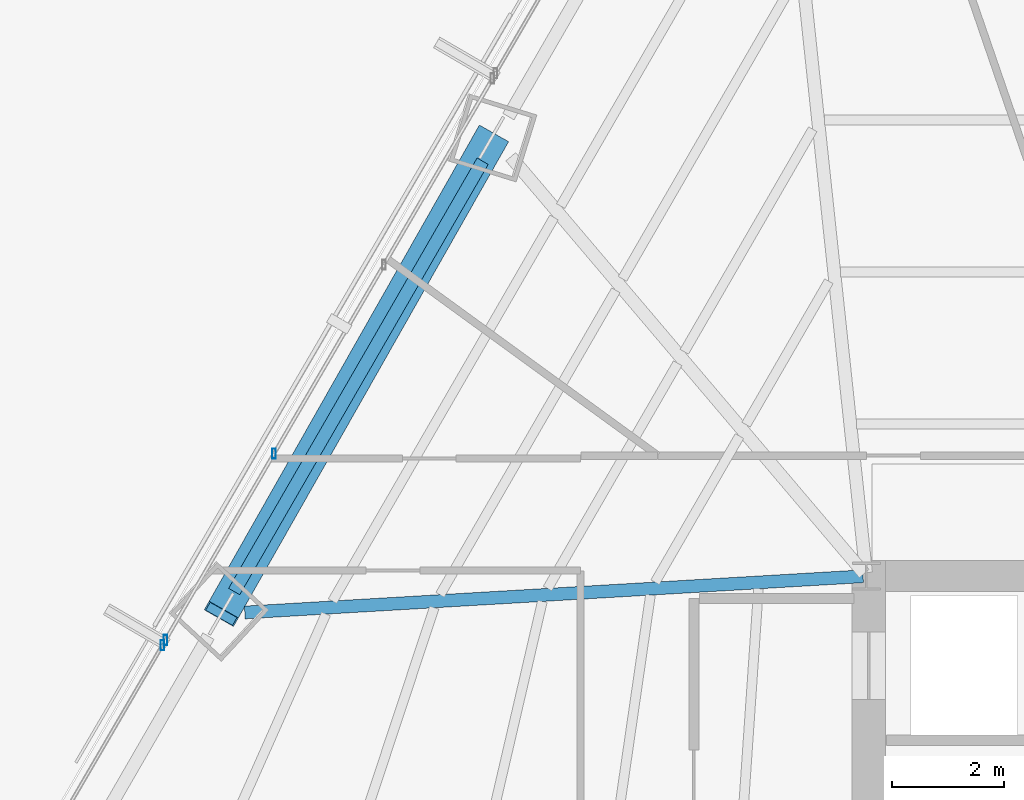
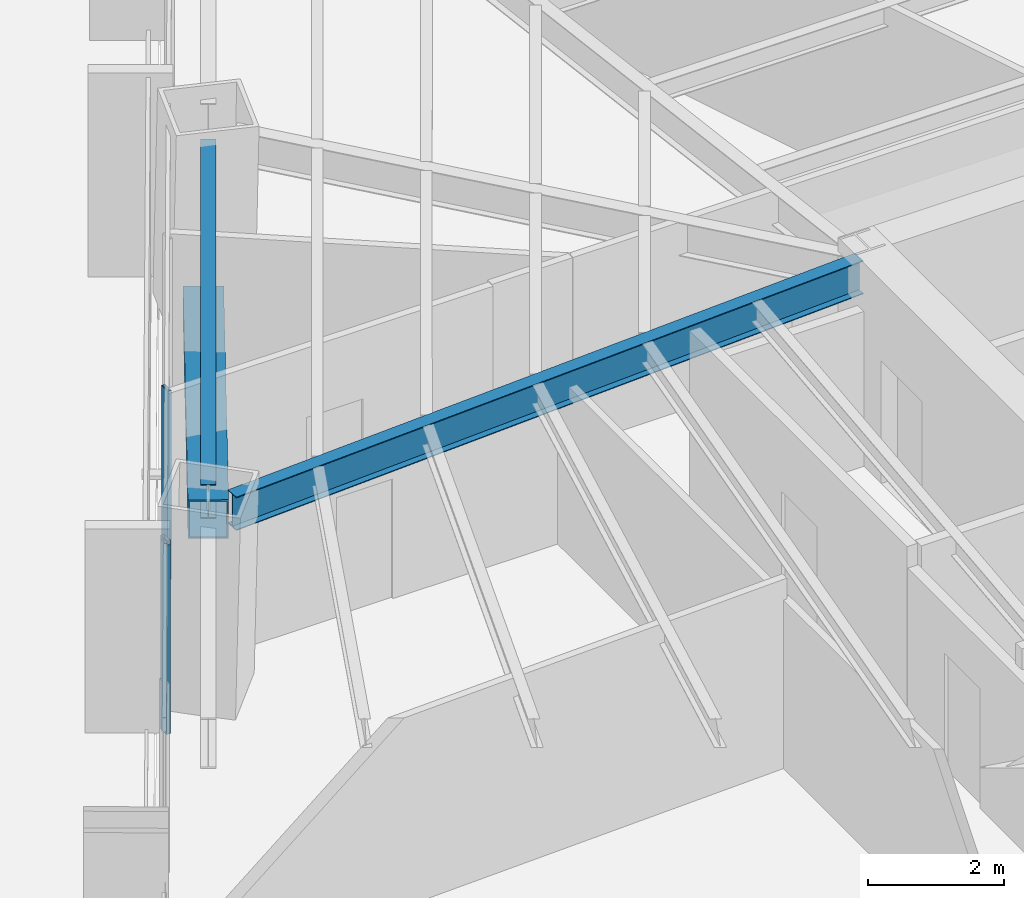
# One storey, part 11 of 35: 4 members, 2 beams, 2 elements without a shape of their own.
"""IFC4 building model written with IfcOpenShell, lengths in metres."""

from ifc_helpers import new_model, si_unit, direction, frame, origin, origin_2d, place, context, subcontext, project, spatial, hollow_rectangle, i_section, extrude, source, transform, mapped, material, material_profile, profile_set, type_object, type_shapes, element, aggregate, save


model = new_model("IFC4")

# Units and contexts
model_context = context("Model", 3, precision=1e-05, world=origin(), true_north=direction((0.0, 1.0)))
body_context = subcontext(model_context, "Body", "Model", "MODEL_VIEW")
ifc_project = project(units=[si_unit("LENGTHUNIT", "METRE"), si_unit("AREAUNIT", "SQUARE_METRE"), si_unit("VOLUMEUNIT", "CUBIC_METRE"), si_unit("PLANEANGLEUNIT", "RADIAN"), si_unit("MASSUNIT", "GRAM", prefix="KILO")], contexts=[model_context])

# Site, building, storey
site_placement = place(None, origin())
site = spatial("IfcSite", under=ifc_project, at=site_placement, CompositionType="ELEMENT")
building_placement = place(site_placement, origin())
building = spatial("IfcBuilding", under=site, at=building_placement, Name="Caelisora Broadcast Tower", CompositionType="ELEMENT")
storey_placement = place(building_placement, frame((0.0, 0.0, 27.60009765625)))
storey = spatial("IfcBuildingStorey", under=building, at=storey_placement, Name="L06", CompositionType="ELEMENT", Elevation=27.60009765625)

# Beams
ifc_material_1 = material(Name="Steel Grade 350 (AS/NZS 3679.1)", Category="steel")
ifc_material_profile_1 = material_profile(ifc_material_1, i_section(OverallWidth=0.22900390625, OverallDepth=0.611572265625, WebThickness=0.011962890625, FlangeThickness=0.01953125, at=origin_2d()), Name="Steel Grade 350 (AS/NZS 3679.1)")
ifc_profile_set_1 = profile_set([ifc_material_profile_1], Name="Steel Grade 350 (AS/NZS 3679.1)")
beam_type_1 = type_object("IfcBeamType", Name="PG03", PredefinedType="BEAM", material=ifc_profile_set_1)
shared_shape_1 = source(origin(), body_context, "Body", "SweptSolid", [
    extrude(i_section(OverallWidth=0.22900390625, OverallDepth=0.611572265625, WebThickness=0.011962890625, FlangeThickness=0.01953125, at=origin_2d()), origin(), (0.0, 0.0, 1.0), 8.867431640625),
])
type_shapes(beam_type_1, [shared_shape_1])
beam_1_placement = place(storey_placement, frame((23.65185546875, 37.403564453125, 3.093994140625), z_axis=(-0.500009235922, -0.866020071357, 0.0), x_axis=(0.866020071357, -0.500009235922, 0.0)))
element("IfcBeam", 1, at=beam_1_placement, inside=storey, type_object=beam_type_1, Name="L06 beam PG03", PredefinedType="BEAM", context=body_context, shape_type="MappedRepresentation", body=[
    mapped(shared_shape_1, transform((0.0, 0.0, 0.0), scale=1.0)),
])
ifc_material_profile_2 = material_profile(ifc_material_1, i_section(OverallWidth=0.22802734375, OverallDepth=0.602294921875, WebThickness=0.010498046875, FlangeThickness=0.014892578125, at=origin_2d()), Name="Steel Grade 350 (AS/NZS 3679.1)")
ifc_profile_set_2 = profile_set([ifc_material_profile_2], Name="Steel Grade 350 (AS/NZS 3679.1)")
beam_type_2 = type_object("IfcBeamType", Name="PG04", PredefinedType="BEAM", material=ifc_profile_set_2)
shared_shape_2 = source(origin(), body_context, "Body", "SweptSolid", [
    extrude(i_section(OverallWidth=0.22802734375, OverallDepth=0.602294921875, WebThickness=0.010498046875, FlangeThickness=0.014892578125, at=origin_2d()), origin(), (0.0, 0.0, 1.0), 11.0517578125),
])
type_shapes(beam_type_2, [shared_shape_2])
beam_2_placement = place(storey_placement, frame((30.440185546875, 29.99658203125, 3.098876953125), z_axis=(-0.998288967606, -0.058473388446, 0.0), x_axis=(0.058473388446, -0.998288967606, 0.0)))
element("IfcBeam", 2, at=beam_2_placement, inside=storey, type_object=beam_type_2, Name="L06 beam PG04", PredefinedType="BEAM", context=body_context, shape_type="MappedRepresentation", body=[
    mapped(shared_shape_2, transform((0.0, 0.0, 0.0), scale=1.0)),
])

# Member
ifc_material_2 = material(Name="Steel Grade 450 L15 (AS/NZS 3678)", Category="steel")
ifc_material_profile_3 = material_profile(ifc_material_2, hollow_rectangle(XDim=0.60009765625, YDim=0.60009765625, WallThickness=0.02490234375, at=origin_2d()), Name="Steel Grade 450 L15 (AS/NZS 3678)")
ifc_profile_set_3 = profile_set([ifc_material_profile_3], Name="Steel Grade 450 L15 (AS/NZS 3678)")
member_type_1 = type_object("IfcMemberType", Name="BR01", PredefinedType="BRACE", material=ifc_profile_set_3)
shared_shape_3 = source(origin(), body_context, "Body", "SweptSolid", [
    extrude(hollow_rectangle(XDim=0.60009765625, YDim=0.60009765625, WallThickness=0.02490234375, at=origin_2d()), origin(), (0.0, 0.0, 1.0), 10.2216796875),
])
type_shapes(member_type_1, [shared_shape_3])
member_1_placement = place(storey_placement, frame((23.81103515625, 37.823974609375, 0.099853515625), z_axis=(-0.471841141981, -0.831400572575, 0.293494505324), x_axis=(0.869701568361, -0.493577939124, 0.0)))
element("IfcMember", 3, at=member_1_placement, inside=storey, type_object=member_type_1, Name="L06 perimeter brace BR01", PredefinedType="BRACE", context=body_context, shape_type="MappedRepresentation", body=[
    mapped(shared_shape_3, transform((0.0, 0.0, 0.0), scale=1.0)),
])

# Curtain wall, member
ifc_material_3 = material(Name="Unitised Aluminium and Low-E Glass Curtain Wall", Category="glass")
curtain_wall_type_1 = type_object("IfcCurtainWallType", Name="CW-Z1", PredefinedType="NOTDEFINED", material=ifc_material_3)
curtain_wall_1_placement = place(storey_placement, origin())
curtain_wall_1 = element("IfcCurtainWall", 4, at=curtain_wall_1_placement, inside=storey, type_object=curtain_wall_type_1, Name="L06 curtain wall CW-Z1", PredefinedType="NOTDEFINED")
ifc_material_4 = material(Name="Aluminium 6063-T6 Anodised Terracotta Bronze", Category="aluminium")
ifc_material_profile_4 = material_profile(ifc_material_4, hollow_rectangle(XDim=0.06494140625, YDim=0.179931640625, WallThickness=0.00341796875, at=origin_2d()), Name="Aluminium 6063-T6 Anodised Terracotta Bronze")
ifc_profile_set_4 = profile_set([ifc_material_profile_4], Name="Aluminium 6063-T6 Anodised Terracotta Bronze")
member_type_2 = type_object("IfcMemberType", Name="CWM-02", PredefinedType="MULLION", material=ifc_profile_set_4)
shared_shape_4 = source(origin(), body_context, "Body", "SweptSolid", [
    extrude(hollow_rectangle(XDim=0.06494140625, YDim=0.179931640625, WallThickness=0.00341796875, at=origin_2d()), origin(), (0.0, 0.0, 1.0), 3.39990234375),
])
type_shapes(member_type_2, [shared_shape_4])
member_2_placement = place(storey_placement, frame((17.936767578125, 28.7646484375, 0.0), z_axis=(0.0, 0.0, 1.0), x_axis=(1.0, 0.0, 0.0)))
member_2 = element("IfcMember", 5, at=member_2_placement, type_object=member_type_2, Name="L06-CW-B09 mullion #3", PredefinedType="MULLION", context=body_context, shape_type="MappedRepresentation", body=[
    mapped(shared_shape_4, transform((0.0, 0.0, 0.0), scale=1.0)),
])
aggregate(curtain_wall_1, [member_2])

# Curtain wall, members
ifc_material_5 = material(Name="Unitised Aluminium Insulated Shadow-Box Spandrel Curtain Wall", Category="aluminium")
curtain_wall_type_2 = type_object("IfcCurtainWallType", Name="CW-SP1", PredefinedType="NOTDEFINED", material=ifc_material_5)
curtain_wall_2_placement = place(storey_placement, origin())
curtain_wall_2 = element("IfcCurtainWall", 6, at=curtain_wall_2_placement, inside=storey, type_object=curtain_wall_type_2, Name="L06 curtain wall CW-SP1", PredefinedType="NOTDEFINED")
member_3_placement = place(storey_placement, frame((17.9921875, 28.859619140625, 0.0), z_axis=(0.0, 0.0, 1.0), x_axis=(1.0, 0.0, 0.0)))
member_3 = element("IfcMember", 7, at=member_3_placement, type_object=member_type_2, Name="L06-CW-B10 mullion #0", PredefinedType="MULLION", context=body_context, shape_type="MappedRepresentation", body=[
    mapped(shared_shape_4, transform((0.0, 0.0, 0.0), scale=1.0)),
])
member_4_placement = place(storey_placement, frame((19.928955078125, 32.18505859375, 0.0), z_axis=(0.0, 0.0, 1.0), x_axis=(1.0, 0.0, 0.0)))
member_4 = element("IfcMember", 8, at=member_4_placement, type_object=member_type_2, Name="L06-CW-B10 mullion #1", PredefinedType="MULLION", context=body_context, shape_type="MappedRepresentation", body=[
    mapped(shared_shape_4, transform((0.0, 0.0, 0.0), scale=1.0)),
])
aggregate(curtain_wall_2, [member_3, member_4])

save(model, "model.ifc")
